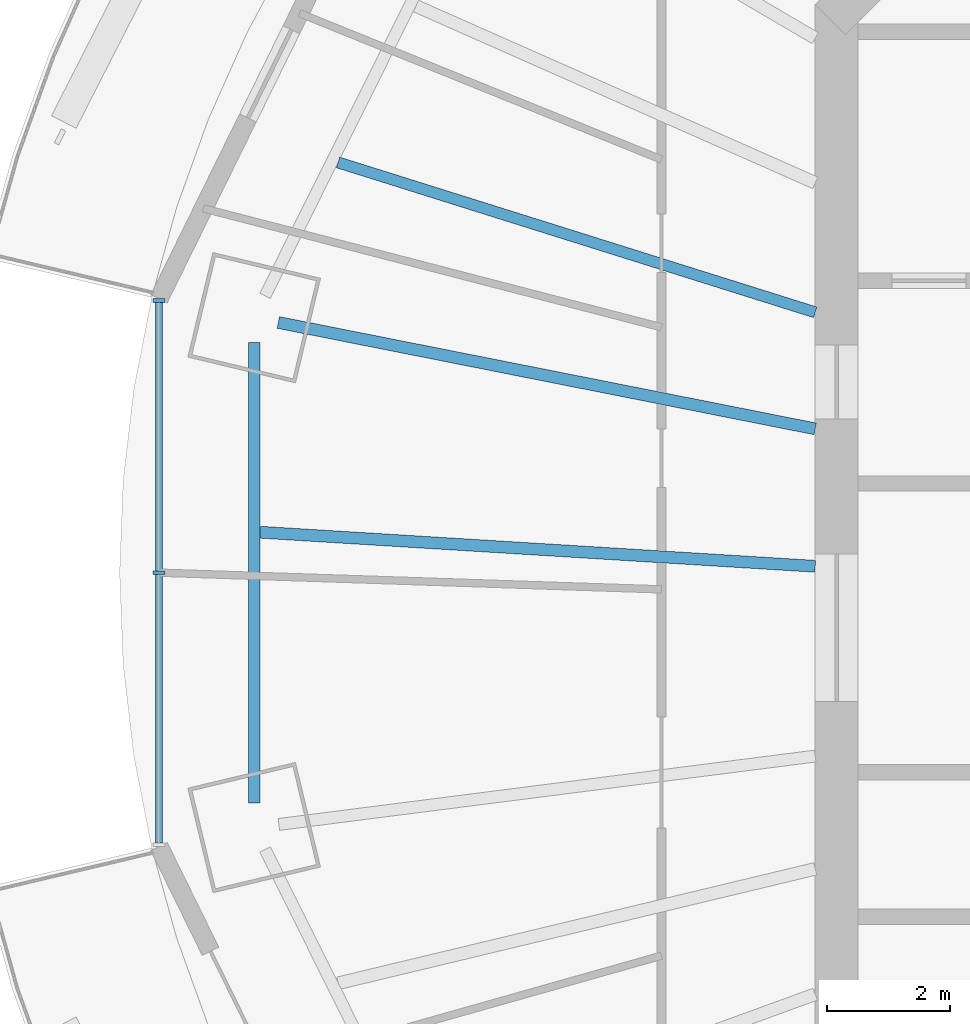
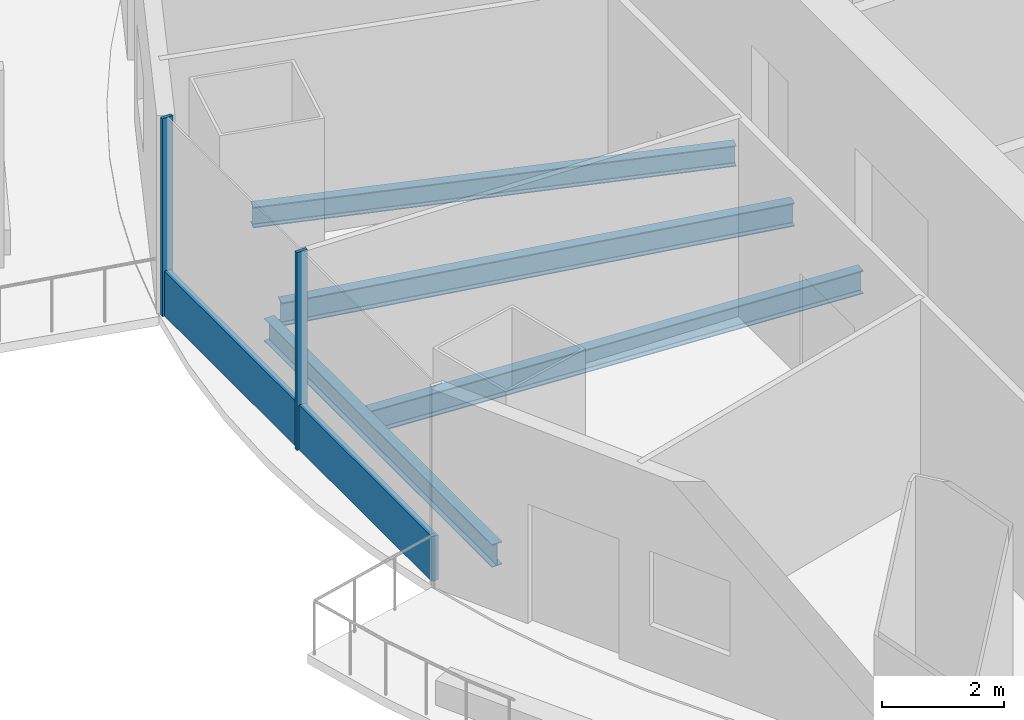
# One storey, part 3 of 16: 4 beams, 3 members, 1 element without a shape of its own.
"""IFC4 building model written with IfcOpenShell, lengths in metres."""

from ifc_helpers import new_model, si_unit, direction, frame, origin, origin_2d, place, context, subcontext, project, spatial, rectangle, i_section, extrude, material, material_profile, profile_set, type_object, element, aggregate, save


model = new_model("IFC4")

# Units and contexts
model_context = context("Model", 3, precision=1e-05, world=origin(), true_north=direction((0.0, 1.0)))
body_context = subcontext(model_context, "Body", "Model", "MODEL_VIEW")
ifc_project = project(units=[si_unit("LENGTHUNIT", "METRE"), si_unit("AREAUNIT", "SQUARE_METRE"), si_unit("VOLUMEUNIT", "CUBIC_METRE"), si_unit("PLANEANGLEUNIT", "RADIAN"), si_unit("MASSUNIT", "GRAM", prefix="KILO")], contexts=[model_context])

# Site, building, storey
site_placement = place(None, origin())
site = spatial("IfcSite", under=ifc_project, at=site_placement, CompositionType="ELEMENT")
building_placement = place(site_placement, origin())
building = spatial("IfcBuilding", under=site, at=building_placement, Name="Marenthal Gate Tower", CompositionType="ELEMENT")
storey_placement = place(building_placement, frame((0.0, 0.0, 342.60009765625)))
storey = spatial("IfcBuildingStorey", under=building, at=storey_placement, Name="L77", CompositionType="ELEMENT", Elevation=342.60009765625)

# Curtain wall, members
ifc_material_1 = material(Name="Aluminium and glass", Category="aluminium")
curtain_wall_type = type_object("IfcCurtainWallType", Name="Curtain wall typical high", PredefinedType="NOTDEFINED", material=ifc_material_1)
curtain_wall_placement = place(storey_placement, origin())
curtain_wall = element("IfcCurtainWall", 1, at=curtain_wall_placement, inside=storey, type_object=curtain_wall_type, Name="Curtain wall L77 bay 8", PredefinedType="NOTDEFINED")
ifc_material_2 = material(Name="Aluminium", Category="aluminium")
ifc_material_profile_1 = material_profile(ifc_material_2, rectangle(XDim=0.199951171875, YDim=0.06005859375, at=origin_2d()), Name="60x200 aluminium mullion")
ifc_profile_set_1 = profile_set([ifc_material_profile_1], Name="Aluminium")
member_type_1 = type_object("IfcMemberType", Name="Mullion 60x200 typical high", PredefinedType="MULLION", material=ifc_profile_set_1)
member_1_placement = place(storey_placement, frame((-27.02734375, 5.326416015625, 0.0), z_axis=(0.0, 0.0, 1.0), x_axis=(1.0, 0.0, 0.0)))
member_1 = element("IfcMember", 2, at=member_1_placement, type_object=member_type_1, Name="Mullion L77 bay 8.1", PredefinedType="MULLION", context=body_context, shape_type="SweptSolid", body=[
    extrude(rectangle(XDim=0.199951171875, YDim=0.06005859375, at=origin_2d()), origin(), (0.0, 0.0, 1.0), 3.969970703125),
])
member_2_placement = place(storey_placement, frame((-27.02734375, 0.89990234375, 0.0), z_axis=(0.0, 0.0, 1.0), x_axis=(1.0, 0.0, 0.0)))
member_2 = element("IfcMember", 3, at=member_2_placement, type_object=member_type_1, Name="Mullion L77 bay 8.2", PredefinedType="MULLION", context=body_context, shape_type="SweptSolid", body=[
    extrude(rectangle(XDim=0.199951171875, YDim=0.06005859375, at=origin_2d()), origin(), (0.0, 0.0, 1.0), 3.969970703125),
])
ifc_material_3 = material(Name="Aluminium", Category="aluminium")
ifc_material_profile_2 = material_profile(ifc_material_3, rectangle(XDim=0.1201171875, YDim=0.89990234375, at=origin_2d()), Name="120x900 aluminium transom")
ifc_profile_set_2 = profile_set([ifc_material_profile_2], Name="Aluminium")
member_type_2 = type_object("IfcMemberType", Name="Transom 120x900 typical high", PredefinedType="USERDEFINED", material=ifc_profile_set_2)
member_3_placement = place(storey_placement, frame((-27.02734375, 5.29638671875, 0.449951171875), z_axis=(0.0, -1.0, 0.0), x_axis=(1.0, 0.0, 0.0)))
member_3 = element("IfcMember", 4, at=member_3_placement, type_object=member_type_2, Name="Transom L77 bay 8", ObjectType="TRANSOM", PredefinedType="USERDEFINED", context=body_context, shape_type="SweptSolid", body=[
    extrude(rectangle(XDim=0.1201171875, YDim=0.89990234375, at=origin_2d()), origin(), (0.0, 0.0, 1.0), 8.792724609375),
])
aggregate(curtain_wall, [member_1, member_2, member_3])

# Beams
ifc_material_4 = material(Name="Steel S355", Category="steel")
ifc_material_profile_3 = material_profile(ifc_material_4, i_section(OverallWidth=0.180908203125, OverallDepth=0.4169921875, WebThickness=0.010986328125, FlangeThickness=0.018310546875, FilletRadius=0.01025390625, at=origin_2d()), Name="W410X85")
ifc_profile_set_3 = profile_set([ifc_material_profile_3], Name="Steel S355")
beam_type_1 = type_object("IfcBeamType", Name="W410X85 beam", PredefinedType="BEAM", material=ifc_profile_set_3)
beam_1_placement = place(storey_placement, frame((-24.11279296875, 7.573974609375, -0.388671875), z_axis=(0.954036864189, -0.299689275365, 0.0), x_axis=(0.299689275365, 0.954036864189, 0.0)))
element("IfcBeam", 5, at=beam_1_placement, inside=storey, type_object=beam_type_1, Name="BM-L77-27", PredefinedType="BEAM", context=body_context, shape_type="SweptSolid", body=[
    extrude(i_section(OverallWidth=0.180908203125, OverallDepth=0.4169921875, WebThickness=0.010986328125, FlangeThickness=0.018310546875, FilletRadius=0.01025390625, at=origin_2d()), origin(), (0.0, 0.0, 1.0), 8.13671875),
])
ifc_material_5 = material(Name="Steel S355", Category="steel")
ifc_material_profile_4 = material_profile(ifc_material_5, i_section(OverallWidth=0.19091796875, OverallDepth=0.45703125, WebThickness=0.009033203125, FlangeThickness=0.014404296875, FilletRadius=0.01025390625, at=origin_2d()), Name="W460X74")
ifc_profile_set_4 = profile_set([ifc_material_profile_4], Name="Steel S355")
beam_type_2 = type_object("IfcBeamType", Name="W460X74 beam", PredefinedType="BEAM", material=ifc_profile_set_4)
beam_2_placement = place(storey_placement, frame((-25.477783203125, 4.648193359375, -0.40869140625), z_axis=(0.0, -1.0, 0.0), x_axis=(1.0, 0.0, 0.0)))
element("IfcBeam", 6, at=beam_2_placement, inside=storey, type_object=beam_type_2, Name="BM-L77-48", PredefinedType="BEAM", context=body_context, shape_type="SweptSolid", body=[
    extrude(i_section(OverallWidth=0.19091796875, OverallDepth=0.45703125, WebThickness=0.009033203125, FlangeThickness=0.014404296875, FilletRadius=0.01025390625, at=origin_2d()), origin(), (0.0, 0.0, 1.0), 7.49658203125),
])
ifc_material_6 = material(Name="Steel S355", Category="steel")
ifc_material_profile_5 = material_profile(ifc_material_6, i_section(OverallWidth=0.193115234375, OverallDepth=0.467041015625, WebThickness=0.011474609375, FlangeThickness=0.01904296875, FilletRadius=0.010009765625, at=origin_2d()), Name="W460X97")
ifc_profile_set_5 = profile_set([ifc_material_profile_5], Name="Steel S355")
beam_type_3 = type_object("IfcBeamType", Name="W460X97 beam", PredefinedType="BEAM", material=ifc_profile_set_5)
beam_3_placement = place(storey_placement, frame((-25.084716796875, 4.97021484375, -0.41357421875), z_axis=(0.980929218316, -0.19436529694, 0.0), x_axis=(0.19436529694, 0.980929218316, 0.0)))
element("IfcBeam", 7, at=beam_3_placement, inside=storey, type_object=beam_type_3, Name="BM-L77-08", PredefinedType="BEAM", context=body_context, shape_type="SweptSolid", body=[
    extrude(i_section(OverallWidth=0.193115234375, OverallDepth=0.467041015625, WebThickness=0.011474609375, FlangeThickness=0.01904296875, FilletRadius=0.010009765625, at=origin_2d()), origin(), (0.0, 0.0, 1.0), 8.904541015625),
])
beam_4_placement = place(storey_placement, frame((-25.382080078125, 1.557861328125, -0.41357421875), z_axis=(0.998121146567, -0.061271337312, 0.0), x_axis=(0.061271337312, 0.998121146567, 0.0)))
element("IfcBeam", 8, at=beam_4_placement, inside=storey, type_object=beam_type_3, Name="BM-L77-28", PredefinedType="BEAM", context=body_context, shape_type="SweptSolid", body=[
    extrude(i_section(OverallWidth=0.193115234375, OverallDepth=0.467041015625, WebThickness=0.011474609375, FlangeThickness=0.01904296875, FilletRadius=0.010009765625, at=origin_2d()), origin(), (0.0, 0.0, 1.0), 9.049072265625),
])

save(model, "model.ifc")
